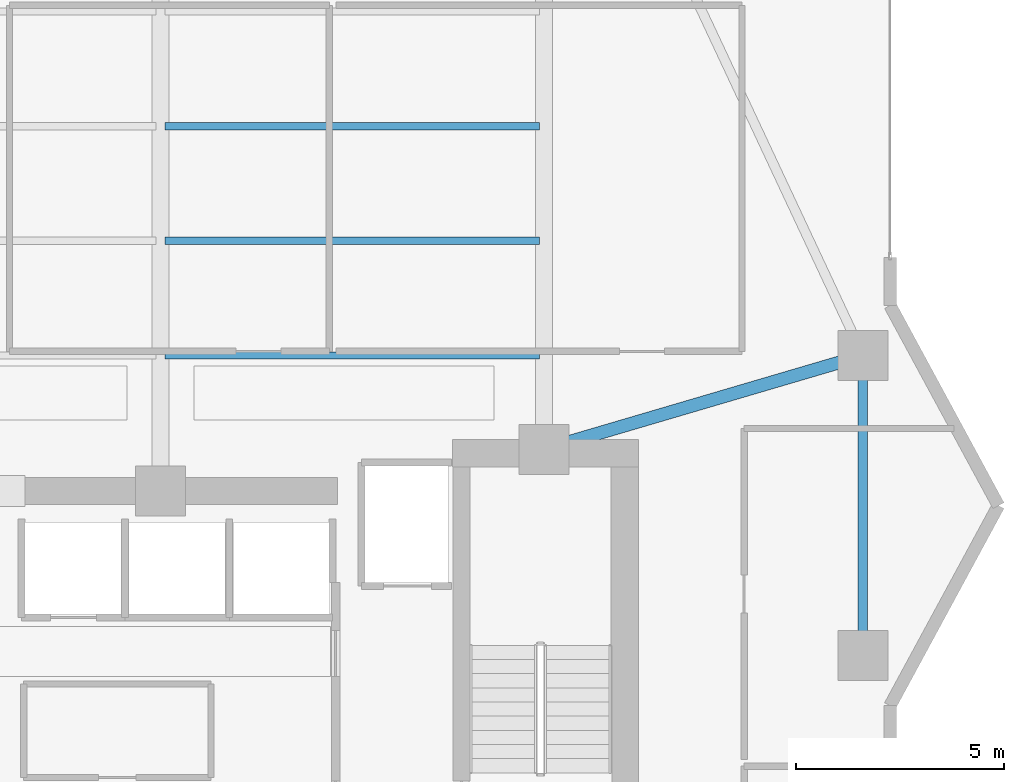
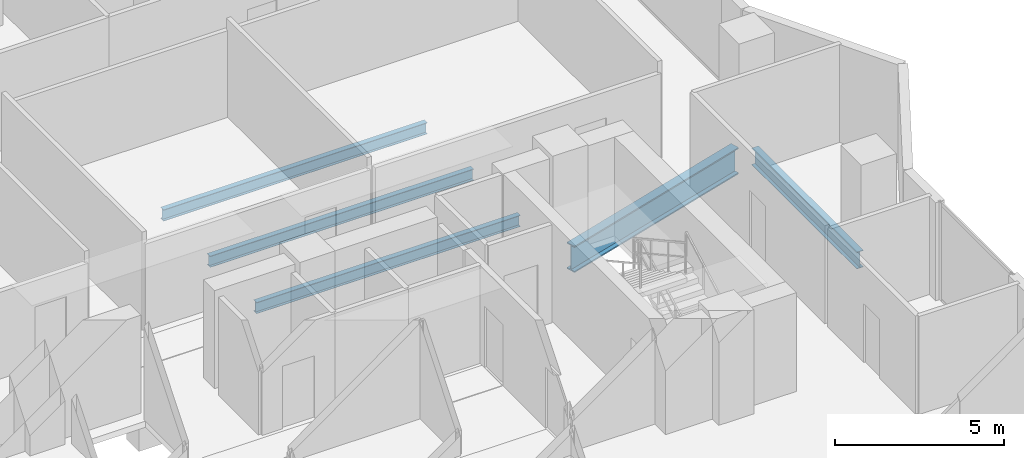
# One storey, part 13 of 32: 5 beams.
"""IFC4 building model written with IfcOpenShell, lengths in metres."""

from ifc_helpers import new_model, si_unit, direction, frame, origin, origin_2d, place, context, subcontext, project, spatial, i_section, extrude, material, material_profile, profile_set, type_object, element, save


model = new_model("IFC4")

# Units and contexts
model_context = context("Model", 3, precision=1e-05, world=origin(), true_north=direction((0.0, 1.0)))
body_context = subcontext(model_context, "Body", "Model", "MODEL_VIEW")
ifc_project = project(units=[si_unit("LENGTHUNIT", "METRE"), si_unit("AREAUNIT", "SQUARE_METRE"), si_unit("VOLUMEUNIT", "CUBIC_METRE"), si_unit("PLANEANGLEUNIT", "RADIAN"), si_unit("MASSUNIT", "GRAM", prefix="KILO")], contexts=[model_context])

# Site, building, storey
site_placement = place(None, origin())
site = spatial("IfcSite", under=ifc_project, at=site_placement, CompositionType="ELEMENT")
building_placement = place(site_placement, origin())
building = spatial("IfcBuilding", under=site, at=building_placement, Name="Zuhayl Quay Hotel", CompositionType="ELEMENT")
storey_placement = place(building_placement, frame((0.0, 0.0, 188.64990234375)))
storey = spatial("IfcBuildingStorey", under=building, at=storey_placement, Name="L47", CompositionType="ELEMENT", Elevation=188.64990234375)

# Beams
ifc_material = material(Name="Steel ASTM A992 Grade 50", Category="steel")
ifc_material_profile_1 = material_profile(ifc_material, i_section(OverallWidth=0.22802734375, OverallDepth=0.60693359375, WebThickness=0.01123046875, FlangeThickness=0.017333984375, at=origin_2d()), Name="W24X76")
ifc_profile_set_1 = profile_set([ifc_material_profile_1], Name="Steel ASTM A992 Grade 50")
beam_type_1 = type_object("IfcBeamType", Name="BM_B3_W24X76", PredefinedType="BEAM", material=ifc_profile_set_1)
beam_1_placement = place(storey_placement, frame((21.449951171875, 9.89990234375, -0.5234375), z_axis=(0.0, 1.0, 0.0), x_axis=(-1.0, 0.0, 0.0)))
element("IfcBeam", 1, at=beam_1_placement, inside=storey, type_object=beam_type_1, Name="L47 Floor Beam RG_L47_05", PredefinedType="BEAM", context=body_context, shape_type="SweptSolid", body=[
    extrude(i_section(OverallWidth=0.22802734375, OverallDepth=0.60693359375, WebThickness=0.01123046875, FlangeThickness=0.017333984375, at=origin_2d()), origin(), (0.0, 0.0, 1.0), 6.2001953125),
])
ifc_material_profile_2 = material_profile(ifc_material, i_section(OverallWidth=0.177978515625, OverallDepth=0.406005859375, WebThickness=0.0078125, FlangeThickness=0.0126953125, at=origin_2d()), Name="W16X40")
ifc_profile_set_2 = profile_set([ifc_material_profile_2], Name="Steel ASTM A992 Grade 50")
beam_type_2 = type_object("IfcBeamType", Name="BM_J2B_W16X40", PredefinedType="JOIST", material=ifc_profile_set_2)
for number, where, z_axis, x_axis, name in (
    (2, (4.7060546875, 16.60009765625, -0.4228515625), (1.0, 0.0, 0.0), (0.0, 1.0, 0.0), "L47 Floor Beam FJ_L47_1_3"),
    (3, (4.7060546875, 19.35009765625, -0.4228515625), (1.0, 0.0, 0.0), (0.0, 1.0, 0.0), "L47 Floor Beam FJ_L47_2_3"),
    (4, (4.7060546875, 22.10009765625, -0.4228515625), (1.0, 0.0, 0.0), (0.0, 1.0, 0.0), "L47 Floor Beam FJ_L47_3_3"),
):
    element("IfcBeam", number, at=place(storey_placement, frame(where, z_axis=z_axis, x_axis=x_axis)), inside=storey, type_object=beam_type_2, Name=name, PredefinedType="JOIST", context=body_context, shape_type="SweptSolid", body=[
        extrude(i_section(OverallWidth=0.177978515625, OverallDepth=0.406005859375, WebThickness=0.0078125, FlangeThickness=0.0126953125, at=origin_2d()), origin(), (0.0, 0.0, 1.0), 8.988037109375),
    ])
ifc_material_profile_3 = material_profile(ifc_material, i_section(OverallWidth=0.31005859375, OverallDepth=0.949951171875, WebThickness=0.0244140625, FlangeThickness=0.0439453125, at=origin_2d()), Name="W36X256")
ifc_profile_set_3 = profile_set([ifc_material_profile_3], Name="Steel ASTM A992 Grade 50")
beam_type_3 = type_object("IfcBeamType", Name="BM_PG1_W36X256", PredefinedType="BEAM", material=ifc_profile_set_3)
beam_2_placement = place(storey_placement, frame((14.231689453125, 14.47705078125, -0.69482421875), z_axis=(0.959364948093, 0.282168205812, 0.0), x_axis=(-0.282168205812, 0.959364948093, 0.0)))
element("IfcBeam", 5, at=beam_2_placement, inside=storey, type_object=beam_type_3, Name="L47 Floor Beam FG_E_L47_2", PredefinedType="BEAM", context=body_context, shape_type="SweptSolid", body=[
    extrude(i_section(OverallWidth=0.31005859375, OverallDepth=0.949951171875, WebThickness=0.0244140625, FlangeThickness=0.0439453125, at=origin_2d()), origin(), (0.0, 0.0, 1.0), 7.02392578125),
])

save(model, "model.ifc")
